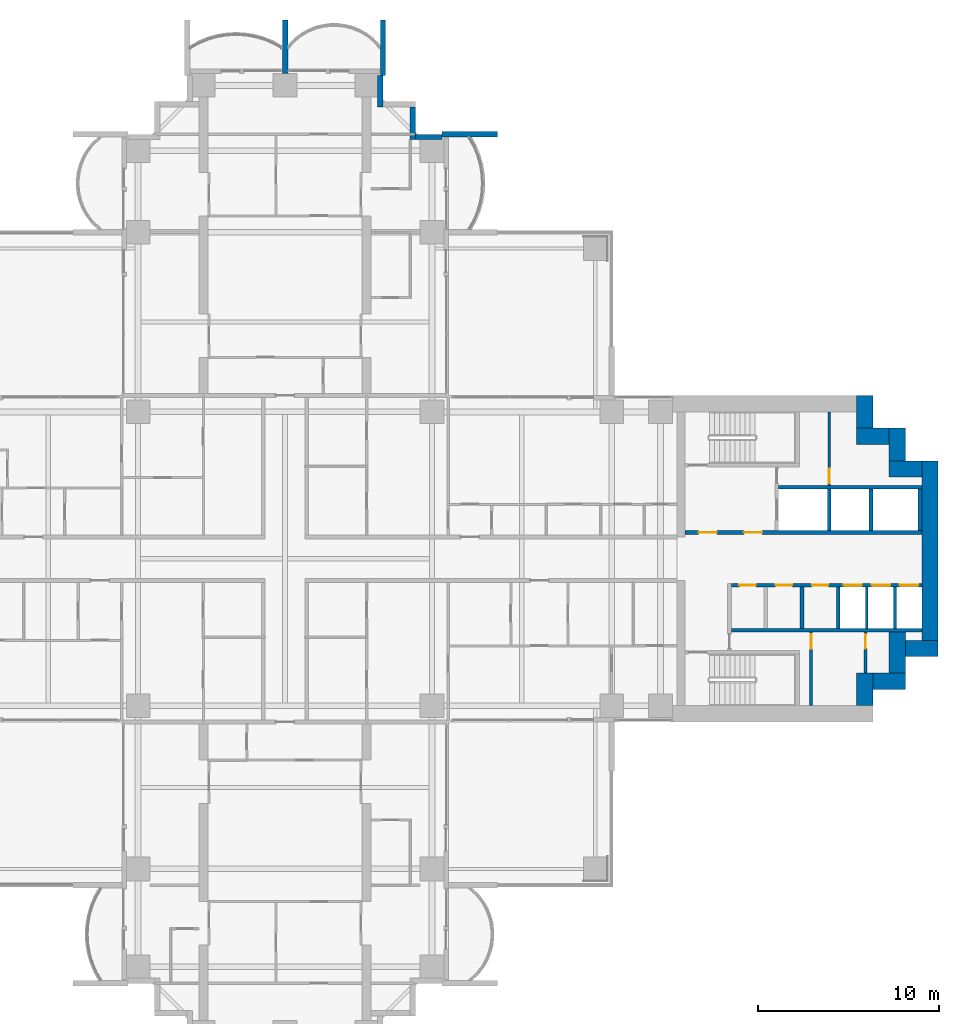
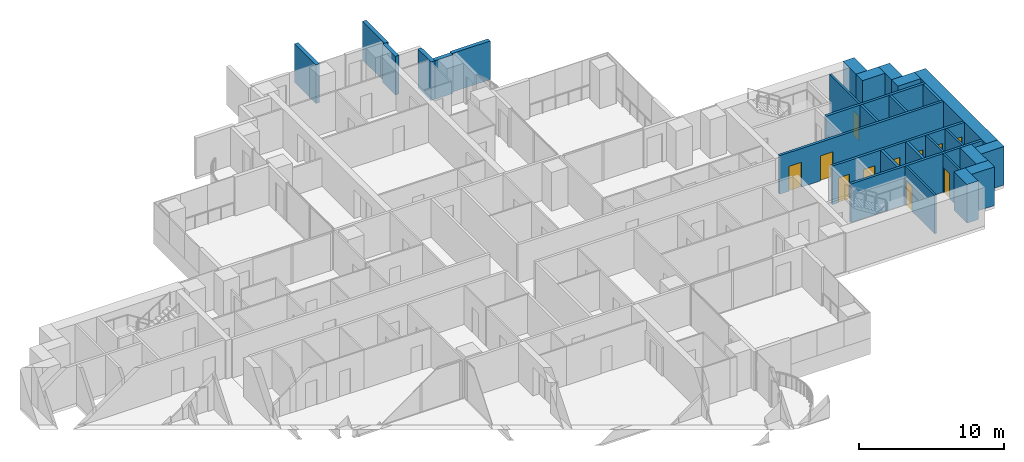
# One storey, part 16 of 21: 29 walls, 11 doors, 11 openings.
"""IFC4 building model written with IfcOpenShell, lengths in metres."""

from ifc_helpers import new_model, si_unit, direction, frame, frame_2d, origin, place, context, subcontext, project, spatial, rectangle, extrude, material, layer, layer_set, type_object, element, fill, save


model = new_model("IFC4")

# Units and contexts
model_context = context("Model", 3, precision=1e-05, world=origin(), true_north=direction((0.0, 1.0)))
body_context = subcontext(model_context, "Body", "Model", "MODEL_VIEW")
ifc_project = project(units=[si_unit("LENGTHUNIT", "METRE"), si_unit("AREAUNIT", "SQUARE_METRE"), si_unit("VOLUMEUNIT", "CUBIC_METRE"), si_unit("PLANEANGLEUNIT", "RADIAN"), si_unit("MASSUNIT", "GRAM", prefix="KILO")], contexts=[model_context])

# Site, building, storey
site_placement = place(None, origin())
site = spatial("IfcSite", under=ifc_project, at=site_placement, CompositionType="ELEMENT")
building_placement = place(site_placement, origin())
building = spatial("IfcBuilding", under=site, at=building_placement, Name="Perihelion Cross Residences", CompositionType="ELEMENT")
storey_placement = place(building_placement, frame((0.0, 0.0, 43.5)))
storey = spatial("IfcBuildingStorey", under=building, at=storey_placement, Name="L07", CompositionType="ELEMENT", Elevation=43.5)

# Walls
ifc_material_1 = material(Name="Concrete C30/37, bronze-clad", Category="concrete")
ifc_layer_1 = layer(ifc_material_1, 0.300048828125)
ifc_layer_set_1 = layer_set([ifc_layer_1], Name="Bronze-clad serration wall 300")
wall_type_1 = type_object("IfcWallType", Name="Bronze-clad serration wall 300", PredefinedType="SOLIDWALL", material=ifc_layer_set_1)
wall_1_placement = place(storey_placement, frame((8.64990234375, 23.25, 0.0), z_axis=(0.0, 0.0, 1.0), x_axis=(-1.0, 0.0, 0.0)))
element("IfcWall", 1, at=wall_1_placement, inside=storey, type_object=wall_type_1, Name="Wall SR1 L07 north corner north-east 1", PredefinedType="SOLIDWALL", context=body_context, shape_type="SweptSolid", body=[
    extrude(rectangle(XDim=1.449951171875, YDim=0.300048828125, at=frame_2d((0.72509765625, 0.0))), origin(), (0.0, 0.0, 1.0), 3.25),
])
wall_2_placement = place(storey_placement, frame((7.050048828125, 23.10009765625, 0.0), z_axis=(0.0, 0.0, 1.0), x_axis=(0.0, 1.0, 0.0)))
element("IfcWall", 2, at=wall_2_placement, inside=storey, type_object=wall_type_1, Name="Wall SR1 L07 north corner north-east 2", PredefinedType="SOLIDWALL", context=body_context, shape_type="SweptSolid", body=[
    extrude(rectangle(XDim=1.7998046875, YDim=0.300048828125, at=frame_2d((0.89990234375, 0.0))), origin(), (0.0, 0.0, 1.0), 3.25),
])
wall_3_placement = place(storey_placement, frame((5.25, 24.89990234375, 0.0), z_axis=(0.0, 0.0, 1.0), x_axis=(0.0, 1.0, 0.0)))
element("IfcWall", 3, at=wall_3_placement, inside=storey, type_object=wall_type_1, Name="Wall SR1 L07 north corner north-east 4", PredefinedType="SOLIDWALL", context=body_context, shape_type="SweptSolid", body=[
    extrude(rectangle(XDim=1.75, YDim=0.300048828125, at=frame_2d((0.875, 0.0))), origin(), (0.0, 0.0, 1.0), 3.25),
])
ifc_material_2 = material(Name="Concrete C60/75", Category="concrete")
ifc_layer_2 = layer(ifc_material_2, 0.89990234375)
ifc_layer_set_2 = layer_set([ifc_layer_2], Name="Core wall, outer 900")
wall_type_2 = type_object("IfcWallType", Name="Core wall, outer 900", PredefinedType="SHEAR", material=ifc_layer_set_2)
for number, where, z_axis, x_axis, name in (
    (4, (31.949951171875, -8.10009765625, 0.0), (0.0, 0.0, 1.0), (0.0, 1.0, 0.0), "East core core wall, outer"),
    (5, (32.39990234375, -6.75, 0.0), (0.0, 0.0, 1.0), (1.0, 0.0, 0.0), "East core core wall, outer"),
):
    element("IfcWall", number, at=place(storey_placement, frame(where, z_axis=z_axis, x_axis=x_axis)), inside=storey, type_object=wall_type_2, Name=name, PredefinedType="SHEAR", context=body_context, shape_type="SweptSolid", body=[
        extrude(rectangle(XDim=1.800048828125, YDim=0.89990234375, at=frame_2d((0.89990234375, 0.0))), origin(), (0.0, 0.0, 1.0), 3.25),
    ])
wall_4_placement = place(storey_placement, frame((33.75, -6.300048828125, 0.0), z_axis=(0.0, 0.0, 1.0), x_axis=(0.0, 1.0, 0.0)))
element("IfcWall", 6, at=wall_4_placement, inside=storey, type_object=wall_type_2, Name="East core core wall, outer", PredefinedType="SHEAR", context=body_context, shape_type="SweptSolid", body=[
    extrude(rectangle(XDim=2.25, YDim=0.89990234375, at=frame_2d((1.125, 0.0))), origin(), (0.0, 0.0, 1.0), 3.25),
])
wall_5_placement = place(storey_placement, frame((34.199951171875, -4.949951171875, 0.0), z_axis=(0.0, 0.0, 1.0), x_axis=(1.0, 0.0, 0.0)))
element("IfcWall", 7, at=wall_5_placement, inside=storey, type_object=wall_type_2, Name="East core core wall, outer", PredefinedType="SHEAR", context=body_context, shape_type="SweptSolid", body=[
    extrude(rectangle(XDim=1.800048828125, YDim=0.89990234375, at=frame_2d((0.89990234375, 0.0))), origin(), (0.0, 0.0, 1.0), 3.25),
])
wall_6_placement = place(storey_placement, frame((35.550048828125, -4.5, 0.0), z_axis=(0.0, 0.0, 1.0), x_axis=(0.0, 1.0, 0.0)))
element("IfcWall", 8, at=wall_6_placement, inside=storey, type_object=wall_type_2, Name="East core core wall, outer", PredefinedType="SHEAR", context=body_context, shape_type="SweptSolid", body=[
    extrude(rectangle(XDim=9.89990234375, YDim=0.89990234375, at=frame_2d((4.949951171875, 0.0))), origin(), (0.0, 0.0, 1.0), 3.25),
])
for number, where, z_axis, x_axis, name in (
    (9, (33.300048828125, 4.949951171875, 0.0), (0.0, 0.0, 1.0), (1.0, 0.0, 0.0), "East core core wall, outer"),
    (10, (33.75, 5.39990234375, 0.0), (0.0, 0.0, 1.0), (0.0, 1.0, 0.0), "East core core wall, outer"),
    (11, (31.5, 6.75, 0.0), (0.0, 0.0, 1.0), (1.0, 0.0, 0.0), "East core core wall, outer"),
    (12, (31.949951171875, 7.199951171875, 0.0), (0.0, 0.0, 1.0), (0.0, 1.0, 0.0), "East core core wall, outer"),
):
    element("IfcWall", number, at=place(storey_placement, frame(where, z_axis=z_axis, x_axis=x_axis)), inside=storey, type_object=wall_type_2, Name=name, PredefinedType="SHEAR", context=body_context, shape_type="SweptSolid", body=[
        extrude(rectangle(XDim=1.800048828125, YDim=0.89990234375, at=frame_2d((0.89990234375, 0.0))), origin(), (0.0, 0.0, 1.0), 3.25),
    ])
ifc_material_3 = material(Name="Precast concrete C50/60", Category="concrete")
ifc_layer_3 = layer(ifc_material_3, 0.300048828125)
ifc_layer_set_3 = layer_set([ifc_layer_3], Name="Precast concrete C50/60 blade wall 300")
wall_type_3 = type_object("IfcWallType", Name="Precast concrete C50/60 blade wall 300", PredefinedType="SOLIDWALL", material=ifc_layer_set_3)
wall_7_placement = place(storey_placement, frame((0.0, 26.75, 0.0), z_axis=(0.0, 0.0, 1.0), x_axis=(0.0, 1.0, 0.0)))
element("IfcWall", 13, at=wall_7_placement, inside=storey, type_object=wall_type_3, Name="Wall BL1 L07 no. 10", PredefinedType="SOLIDWALL", context=body_context, shape_type="SweptSolid", body=[
    extrude(rectangle(XDim=2.949951171875, YDim=0.300048828125, at=frame_2d((1.47509765625, 0.0))), origin(), (0.0, 0.0, 1.0), 3.25),
])
for number, where, z_axis, x_axis, name in (
    (14, (5.39990234375, 26.64990234375, 0.0), (0.0, 0.0, 1.0), (0.0, 1.0, 0.0), "Wall BL1 L07 no. 14"),
    (15, (8.64990234375, 23.39990234375, 0.0), (0.0, 0.0, 1.0), (1.0, 0.0, 0.0), "Wall BL1 L07 no. 18"),
):
    element("IfcWall", number, at=place(storey_placement, frame(where, z_axis=z_axis, x_axis=x_axis)), inside=storey, type_object=wall_type_3, Name=name, PredefinedType="SOLIDWALL", context=body_context, shape_type="SweptSolid", body=[
        extrude(rectangle(XDim=3.050048828125, YDim=0.300048828125, at=frame_2d((1.52490234375, 0.0))), origin(), (0.0, 0.0, 1.0), 3.25),
    ])

# Wall, opening, door
ifc_material_4 = material(Name="Fire-rated board on steel stud", Category="steel")
ifc_layer_4 = layer(ifc_material_4, 0.14990234375)
ifc_layer_set_4 = layer_set([ifc_layer_4], Name="Riser wall 150")
wall_type_4 = type_object("IfcWallType", Name="Riser wall 150", PredefinedType="PARTITIONING", material=ifc_layer_set_4)
wall_8_placement = place(storey_placement, frame((30.0, 4.050048828125, 0.0), z_axis=(0.0, 0.0, 1.0), x_axis=(0.0, 1.0, 0.0)))
wall_8 = element("IfcWall", 16, at=wall_8_placement, inside=storey, type_object=wall_type_4, Name="East core riser wall", PredefinedType="PARTITIONING", context=body_context, shape_type="SweptSolid", body=[
    extrude(rectangle(XDim=4.050048828125, YDim=0.14990234375, at=frame_2d((2.02490234375, 0.0))), origin(), (0.0, 0.0, 1.0), 3.25),
])
opening_1_placement = place(wall_8_placement, frame((0.10009765625, 0.0, 0.0)))
opening_1 = element("IfcOpeningElement", 17, at=opening_1_placement, cuts=wall_8, Name="Opening L07.C15", PredefinedType="OPENING", context=body_context, shape_type="SweptSolid", body=[
    extrude(rectangle(XDim=0.800048828125, YDim=2.10009765625, at=frame_2d((0.39990234375, 1.050048828125))), frame((0.0, 0.0849609375, 0.0), z_axis=(0.0, -1.0, 0.0), x_axis=(1.0, 0.0, 0.0)), (0.0, 0.0, 1.0), 0.169921875),
])
ifc_material_5 = material(Name="Steel, powder coated", Category="steel")
door_type_1 = type_object("IfcDoorType", Name="Riser door 800", OperationType="SINGLE_SWING_LEFT", PredefinedType="DOOR", material=ifc_material_5)
door_1_placement = place(opening_1_placement, origin())
door_1 = element("IfcDoor", 18, at=door_1_placement, inside=storey, type_object=door_type_1, Name="East core riser door", OperationType="SINGLE_SWING_LEFT", OverallHeight=2.10009765625, OverallWidth=0.800048828125, PredefinedType="DOOR", context=body_context, shape_type="SweptSolid", body=[
    extrude(rectangle(XDim=0.800048828125, YDim=2.10009765625, at=frame_2d((0.39990234375, 1.050048828125))), frame((0.0, 0.02490234375, 0.0), z_axis=(0.0, -1.0, 0.0), x_axis=(1.0, 0.0, 0.0)), (0.0, 0.0, 1.0), 0.050048828125),
])
fill(opening_1, door_1)

wall_9_placement = place(storey_placement, frame((29.0, -8.10009765625, 0.0), z_axis=(0.0, 0.0, 1.0), x_axis=(0.0, 1.0, 0.0)))
wall_9 = element("IfcWall", 19, at=wall_9_placement, inside=storey, type_object=wall_type_4, Name="East core riser wall", PredefinedType="PARTITIONING", context=body_context, shape_type="SweptSolid", body=[
    extrude(rectangle(XDim=4.050048828125, YDim=0.14990234375, at=frame_2d((2.02490234375, 0.0))), origin(), (0.0, 0.0, 1.0), 3.25),
])
opening_2_placement = place(wall_9_placement, frame((3.14990234375, 0.0, 0.0)))
opening_2 = element("IfcOpeningElement", 20, at=opening_2_placement, cuts=wall_9, Name="Opening L07.C13", PredefinedType="OPENING", context=body_context, shape_type="SweptSolid", body=[
    extrude(rectangle(XDim=0.800048828125, YDim=2.10009765625, at=frame_2d((0.39990234375, 1.050048828125))), frame((0.0, 0.0849609375, 0.0), z_axis=(0.0, -1.0, 0.0), x_axis=(1.0, 0.0, 0.0)), (0.0, 0.0, 1.0), 0.169921875),
])
door_2_placement = place(opening_2_placement, origin())
door_2 = element("IfcDoor", 21, at=door_2_placement, inside=storey, type_object=door_type_1, Name="East core riser door", OperationType="SINGLE_SWING_LEFT", OverallHeight=2.10009765625, OverallWidth=0.800048828125, PredefinedType="DOOR", context=body_context, shape_type="SweptSolid", body=[
    extrude(rectangle(XDim=0.800048828125, YDim=2.10009765625, at=frame_2d((0.39990234375, 1.050048828125))), frame((0.0, 0.02490234375, 0.0), z_axis=(0.0, -1.0, 0.0), x_axis=(1.0, 0.0, 0.0)), (0.0, 0.0, 1.0), 0.050048828125),
])
fill(opening_2, door_2)

wall_10_placement = place(storey_placement, frame((32.0, -6.300048828125, 0.0), z_axis=(0.0, 0.0, 1.0), x_axis=(0.0, 1.0, 0.0)))
wall_10 = element("IfcWall", 22, at=wall_10_placement, inside=storey, type_object=wall_type_4, Name="East core riser wall", PredefinedType="PARTITIONING", context=body_context, shape_type="SweptSolid", body=[
    extrude(rectangle(XDim=2.25, YDim=0.14990234375, at=frame_2d((1.125, 0.0))), origin(), (0.0, 0.0, 1.0), 3.25),
])
opening_3_placement = place(wall_10_placement, frame((1.35009765625, 0.0, 0.0)))
opening_3 = element("IfcOpeningElement", 23, at=opening_3_placement, cuts=wall_10, Name="Opening L07.C16", PredefinedType="OPENING", context=body_context, shape_type="SweptSolid", body=[
    extrude(rectangle(XDim=0.800048828125, YDim=2.10009765625, at=frame_2d((0.39990234375, 1.050048828125))), frame((0.0, 0.0849609375, 0.0), z_axis=(0.0, -1.0, 0.0), x_axis=(1.0, 0.0, 0.0)), (0.0, 0.0, 1.0), 0.169921875),
])
door_3_placement = place(opening_3_placement, origin())
door_3 = element("IfcDoor", 24, at=door_3_placement, inside=storey, type_object=door_type_1, Name="East core riser door", OperationType="SINGLE_SWING_LEFT", OverallHeight=2.10009765625, OverallWidth=0.800048828125, PredefinedType="DOOR", context=body_context, shape_type="SweptSolid", body=[
    extrude(rectangle(XDim=0.800048828125, YDim=2.10009765625, at=frame_2d((0.39990234375, 1.050048828125))), frame((0.0, 0.02490234375, 0.0), z_axis=(0.0, -1.0, 0.0), x_axis=(1.0, 0.0, 0.0)), (0.0, 0.0, 1.0), 0.050048828125),
])
fill(opening_3, door_3)

# Walls
ifc_material_6 = material(Name="Fire-rated board on steel stud", Category="steel")
ifc_layer_5 = layer(ifc_material_6, 0.199951171875)
ifc_layer_set_5 = layer_set([ifc_layer_5], Name="Riser wall 200")
wall_type_5 = type_object("IfcWallType", Name="Riser wall 200", PredefinedType="PARTITIONING", material=ifc_layer_set_5)
wall_11_placement = place(storey_placement, frame((28.5, -3.85009765625, 0.0), z_axis=(0.0, 0.0, 1.0), x_axis=(0.0, 1.0, 0.0)))
element("IfcWall", 25, at=wall_11_placement, inside=storey, type_object=wall_type_5, Name="East core riser wall", PredefinedType="PARTITIONING", context=body_context, shape_type="SweptSolid", body=[
    extrude(rectangle(XDim=2.300048828125, YDim=0.199951171875, at=frame_2d((1.14990234375, 0.0))), origin(), (0.0, 0.0, 1.0), 3.25),
])
ifc_material_7 = material(Name="Concrete C50/60", Category="concrete")
ifc_layer_6 = layer(ifc_material_7, 0.14990234375)
ifc_layer_set_6 = layer_set([ifc_layer_6], Name="Shaft wall 150")
wall_type_6 = type_object("IfcWallType", Name="Shaft wall 150", PredefinedType="SOLIDWALL", material=ifc_layer_set_6)
for number, where, z_axis, x_axis, name in (
    (26, (32.074951171875, -3.85009765625, 0.0), (0.0, 0.0, 1.0), (0.0, 1.0, 0.0), "East core shaft wall"),
    (27, (33.625, -3.85009765625, 0.0), (0.0, 0.0, 1.0), (0.0, 1.0, 0.0), "East core shaft wall"),
):
    element("IfcWall", number, at=place(storey_placement, frame(where, z_axis=z_axis, x_axis=x_axis)), inside=storey, type_object=wall_type_6, Name=name, PredefinedType="SOLIDWALL", context=body_context, shape_type="SweptSolid", body=[
        extrude(rectangle(XDim=2.300048828125, YDim=0.14990234375, at=frame_2d((1.14990234375, 0.0))), origin(), (0.0, 0.0, 1.0), 3.25),
    ])

# Wall, openings, doors
ifc_material_8 = material(Name="Concrete C50/60", Category="concrete")
ifc_layer_7 = layer(ifc_material_8, 0.199951171875)
ifc_layer_set_7 = layer_set([ifc_layer_7], Name="Shaft wall 200")
wall_type_7 = type_object("IfcWallType", Name="Shaft wall 200", PredefinedType="SOLIDWALL", material=ifc_layer_set_7)
wall_12_placement = place(storey_placement, frame((22.050048828125, 1.449951171875, 0.0), z_axis=(0.0, 0.0, 1.0), x_axis=(1.0, 0.0, 0.0)))
wall_12 = element("IfcWall", 28, at=wall_12_placement, inside=storey, type_object=wall_type_7, Name="East core shaft wall", PredefinedType="SOLIDWALL", context=body_context, shape_type="SweptSolid", body=[
    extrude(rectangle(XDim=13.050048828125, YDim=0.199951171875, at=frame_2d((6.52490234375, 0.0))), origin(), (0.0, 0.0, 1.0), 3.25),
])
opening_4_placement = place(wall_12_placement, frame((0.75, 0.0, 0.0)))
opening_4 = element("IfcOpeningElement", 29, at=opening_4_placement, cuts=wall_12, Name="Opening L07.C07", PredefinedType="OPENING", context=body_context, shape_type="SweptSolid", body=[
    extrude(rectangle(XDim=1.0, YDim=2.10009765625, at=frame_2d((0.5, 1.050048828125))), frame((0.0, 0.10986328125, 0.0), z_axis=(0.0, -1.0, 0.0), x_axis=(1.0, 0.0, 0.0)), (0.0, 0.0, 1.0), 0.219970703125),
])
opening_5_placement = place(wall_12_placement, frame((3.25, 0.0, 0.0)))
opening_5 = element("IfcOpeningElement", 30, at=opening_5_placement, cuts=wall_12, Name="Opening L07.C10", PredefinedType="OPENING", context=body_context, shape_type="SweptSolid", body=[
    extrude(rectangle(XDim=1.0, YDim=2.10009765625, at=frame_2d((0.5, 1.050048828125))), frame((0.0, 0.10986328125, 0.0), z_axis=(0.0, -1.0, 0.0), x_axis=(1.0, 0.0, 0.0)), (0.0, 0.0, 1.0), 0.219970703125),
])
ifc_material_9 = material(Name="Steel, powder coated", Category="steel")
door_type_2 = type_object("IfcDoorType", Name="Lobby door 1000", OperationType="SINGLE_SWING_LEFT", PredefinedType="DOOR", material=ifc_material_9)
door_4_placement = place(opening_4_placement, origin())
door_4 = element("IfcDoor", 31, at=door_4_placement, inside=storey, type_object=door_type_2, Name="East core firefighting lobby door", OperationType="SINGLE_SWING_LEFT", OverallHeight=2.10009765625, OverallWidth=1.0, PredefinedType="DOOR", context=body_context, shape_type="SweptSolid", body=[
    extrude(rectangle(XDim=1.0, YDim=2.10009765625, at=frame_2d((0.5, 1.050048828125))), frame((0.0, 0.02490234375, 0.0), z_axis=(0.0, -1.0, 0.0), x_axis=(1.0, 0.0, 0.0)), (0.0, 0.0, 1.0), 0.050048828125),
])
fill(opening_4, door_4)
door_5_placement = place(opening_5_placement, origin())
door_5 = element("IfcDoor", 32, at=door_5_placement, inside=storey, type_object=door_type_2, Name="East core firefighting lobby door", OperationType="SINGLE_SWING_LEFT", OverallHeight=2.10009765625, OverallWidth=1.0, PredefinedType="DOOR", context=body_context, shape_type="SweptSolid", body=[
    extrude(rectangle(XDim=1.0, YDim=2.10009765625, at=frame_2d((0.5, 1.050048828125))), frame((0.0, 0.02490234375, 0.0), z_axis=(0.0, -1.0, 0.0), x_axis=(1.0, 0.0, 0.0)), (0.0, 0.0, 1.0), 0.050048828125),
])
fill(opening_5, door_5)

wall_13_placement = place(storey_placement, frame((24.60009765625, -1.449951171875, 0.0), z_axis=(0.0, 0.0, 1.0), x_axis=(1.0, 0.0, 0.0)))
wall_13 = element("IfcWall", 33, at=wall_13_placement, inside=storey, type_object=wall_type_7, Name="East core shaft wall", PredefinedType="SOLIDWALL", context=body_context, shape_type="SweptSolid", body=[
    extrude(rectangle(XDim=10.5, YDim=0.199951171875, at=frame_2d((5.25, 0.0))), origin(), (0.0, 0.0, 1.0), 3.25),
])
opening_6_placement = place(wall_13_placement, frame((6.199951171875, 0.0, 0.0)))
opening_6 = element("IfcOpeningElement", 34, at=opening_6_placement, cuts=wall_13, Name="Opening L07.C02", PredefinedType="OPENING", context=body_context, shape_type="SweptSolid", body=[
    extrude(rectangle(XDim=1.0, YDim=2.10009765625, at=frame_2d((0.5, 1.050048828125))), frame((0.0, 0.10986328125, 0.0), z_axis=(0.0, -1.0, 0.0), x_axis=(1.0, 0.0, 0.0)), (0.0, 0.0, 1.0), 0.219970703125),
])
opening_7_placement = place(wall_13_placement, frame((7.75, 0.0, 0.0)))
opening_7 = element("IfcOpeningElement", 35, at=opening_7_placement, cuts=wall_13, Name="Opening L07.C03", PredefinedType="OPENING", context=body_context, shape_type="SweptSolid", body=[
    extrude(rectangle(XDim=1.0, YDim=2.10009765625, at=frame_2d((0.5, 1.050048828125))), frame((0.0, 0.10986328125, 0.0), z_axis=(0.0, -1.0, 0.0), x_axis=(1.0, 0.0, 0.0)), (0.0, 0.0, 1.0), 0.219970703125),
])
opening_8_placement = place(wall_13_placement, frame((9.300048828125, 0.0, 0.0)))
opening_8 = element("IfcOpeningElement", 36, at=opening_8_placement, cuts=wall_13, Name="Opening L07.C04", PredefinedType="OPENING", context=body_context, shape_type="SweptSolid", body=[
    extrude(rectangle(XDim=1.0, YDim=2.10009765625, at=frame_2d((0.5, 1.050048828125))), frame((0.0, 0.10986328125, 0.0), z_axis=(0.0, -1.0, 0.0), x_axis=(1.0, 0.0, 0.0)), (0.0, 0.0, 1.0), 0.219970703125),
])
opening_9_placement = place(wall_13_placement, frame((0.449951171875, 0.0, 0.0)))
opening_9 = element("IfcOpeningElement", 37, at=opening_9_placement, cuts=wall_13, Name="Opening L07.C09", PredefinedType="OPENING", context=body_context, shape_type="SweptSolid", body=[
    extrude(rectangle(XDim=0.89990234375, YDim=2.10009765625, at=frame_2d((0.449951171875, 1.050048828125))), frame((0.0, 0.10986328125, 0.0), z_axis=(0.0, -1.0, 0.0), x_axis=(1.0, 0.0, 0.0)), (0.0, 0.0, 1.0), 0.219970703125),
])
opening_10_placement = place(wall_13_placement, frame((2.449951171875, 0.0, 0.0)))
opening_10 = element("IfcOpeningElement", 38, at=opening_10_placement, cuts=wall_13, Name="Opening L07.C12", PredefinedType="OPENING", context=body_context, shape_type="SweptSolid", body=[
    extrude(rectangle(XDim=0.89990234375, YDim=2.10009765625, at=frame_2d((0.449951171875, 1.050048828125))), frame((0.0, 0.10986328125, 0.0), z_axis=(0.0, -1.0, 0.0), x_axis=(1.0, 0.0, 0.0)), (0.0, 0.0, 1.0), 0.219970703125),
])
opening_11_placement = place(wall_13_placement, frame((4.449951171875, 0.0, 0.0)))
opening_11 = element("IfcOpeningElement", 39, at=opening_11_placement, cuts=wall_13, Name="Opening L07.C14", PredefinedType="OPENING", context=body_context, shape_type="SweptSolid", body=[
    extrude(rectangle(XDim=0.89990234375, YDim=2.10009765625, at=frame_2d((0.449951171875, 1.050048828125))), frame((0.0, 0.10986328125, 0.0), z_axis=(0.0, -1.0, 0.0), x_axis=(1.0, 0.0, 0.0)), (0.0, 0.0, 1.0), 0.219970703125),
])
ifc_material_10 = material(Name="Stainless steel", Category="steel")
door_type_3 = type_object("IfcDoorType", Name="Landing door 1000", OperationType="DOUBLE_DOOR_SLIDING", PredefinedType="DOOR", material=ifc_material_10)
door_6_placement = place(opening_6_placement, origin())
door_6 = element("IfcDoor", 40, at=door_6_placement, inside=storey, type_object=door_type_3, Name="Landing door, East core low-rise lift 1", OperationType="DOUBLE_DOOR_SLIDING", OverallHeight=2.10009765625, OverallWidth=1.0, PredefinedType="DOOR", context=body_context, shape_type="SweptSolid", body=[
    extrude(rectangle(XDim=1.0, YDim=2.10009765625, at=frame_2d((0.5, 1.050048828125))), frame((0.0, 0.02490234375, 0.0), z_axis=(0.0, -1.0, 0.0), x_axis=(1.0, 0.0, 0.0)), (0.0, 0.0, 1.0), 0.050048828125),
])
fill(opening_6, door_6)
door_7_placement = place(opening_7_placement, origin())
door_7 = element("IfcDoor", 41, at=door_7_placement, inside=storey, type_object=door_type_3, Name="Landing door, East core low-rise lift 2", OperationType="DOUBLE_DOOR_SLIDING", OverallHeight=2.10009765625, OverallWidth=1.0, PredefinedType="DOOR", context=body_context, shape_type="SweptSolid", body=[
    extrude(rectangle(XDim=1.0, YDim=2.10009765625, at=frame_2d((0.5, 1.050048828125))), frame((0.0, 0.02490234375, 0.0), z_axis=(0.0, -1.0, 0.0), x_axis=(1.0, 0.0, 0.0)), (0.0, 0.0, 1.0), 0.050048828125),
])
fill(opening_7, door_7)
door_8_placement = place(opening_8_placement, origin())
door_8 = element("IfcDoor", 42, at=door_8_placement, inside=storey, type_object=door_type_3, Name="Landing door, East core low-rise lift 3", OperationType="DOUBLE_DOOR_SLIDING", OverallHeight=2.10009765625, OverallWidth=1.0, PredefinedType="DOOR", context=body_context, shape_type="SweptSolid", body=[
    extrude(rectangle(XDim=1.0, YDim=2.10009765625, at=frame_2d((0.5, 1.050048828125))), frame((0.0, 0.02490234375, 0.0), z_axis=(0.0, -1.0, 0.0), x_axis=(1.0, 0.0, 0.0)), (0.0, 0.0, 1.0), 0.050048828125),
])
fill(opening_8, door_8)
ifc_material_11 = material(Name="Steel, powder coated", Category="steel")
door_type_4 = type_object("IfcDoorType", Name="Service room door 900", OperationType="SINGLE_SWING_LEFT", PredefinedType="DOOR", material=ifc_material_11)
door_9_placement = place(opening_9_placement, origin())
door_9 = element("IfcDoor", 43, at=door_9_placement, inside=storey, type_object=door_type_4, Name="East core service room door", OperationType="SINGLE_SWING_LEFT", OverallHeight=2.10009765625, OverallWidth=0.89990234375, PredefinedType="DOOR", context=body_context, shape_type="SweptSolid", body=[
    extrude(rectangle(XDim=0.89990234375, YDim=2.10009765625, at=frame_2d((0.449951171875, 1.050048828125))), frame((0.0, 0.02490234375, 0.0), z_axis=(0.0, -1.0, 0.0), x_axis=(1.0, 0.0, 0.0)), (0.0, 0.0, 1.0), 0.050048828125),
])
fill(opening_9, door_9)
door_10_placement = place(opening_10_placement, origin())
door_10 = element("IfcDoor", 44, at=door_10_placement, inside=storey, type_object=door_type_4, Name="East core service room door", OperationType="SINGLE_SWING_LEFT", OverallHeight=2.10009765625, OverallWidth=0.89990234375, PredefinedType="DOOR", context=body_context, shape_type="SweptSolid", body=[
    extrude(rectangle(XDim=0.89990234375, YDim=2.10009765625, at=frame_2d((0.449951171875, 1.050048828125))), frame((0.0, 0.02490234375, 0.0), z_axis=(0.0, -1.0, 0.0), x_axis=(1.0, 0.0, 0.0)), (0.0, 0.0, 1.0), 0.050048828125),
])
fill(opening_10, door_10)
door_11_placement = place(opening_11_placement, origin())
door_11 = element("IfcDoor", 45, at=door_11_placement, inside=storey, type_object=door_type_4, Name="East core service room door", OperationType="SINGLE_SWING_LEFT", OverallHeight=2.10009765625, OverallWidth=0.89990234375, PredefinedType="DOOR", context=body_context, shape_type="SweptSolid", body=[
    extrude(rectangle(XDim=0.89990234375, YDim=2.10009765625, at=frame_2d((0.449951171875, 1.050048828125))), frame((0.0, 0.02490234375, 0.0), z_axis=(0.0, -1.0, 0.0), x_axis=(1.0, 0.0, 0.0)), (0.0, 0.0, 1.0), 0.050048828125),
])
fill(opening_11, door_11)

# Walls
wall_14_placement = place(storey_placement, frame((27.199951171875, 3.949951171875, 0.0), z_axis=(0.0, 0.0, 1.0), x_axis=(1.0, 0.0, 0.0)))
element("IfcWall", 46, at=wall_14_placement, inside=storey, type_object=wall_type_7, Name="East core shaft wall", PredefinedType="SOLIDWALL", context=body_context, shape_type="SweptSolid", body=[
    extrude(rectangle(XDim=7.900146484375, YDim=0.199951171875, at=frame_2d((3.9501953125, 0.0))), origin(), (0.0, 0.0, 1.0), 3.25),
])
wall_15_placement = place(storey_placement, frame((24.60009765625, -3.949951171875, 0.0), z_axis=(0.0, 0.0, 1.0), x_axis=(1.0, 0.0, 0.0)))
element("IfcWall", 47, at=wall_15_placement, inside=storey, type_object=wall_type_7, Name="East core shaft wall", PredefinedType="SOLIDWALL", context=body_context, shape_type="SweptSolid", body=[
    extrude(rectangle(XDim=10.5, YDim=0.199951171875, at=frame_2d((5.25, 0.0))), origin(), (0.0, 0.0, 1.0), 3.25),
])
for number, where, z_axis, x_axis, name in (
    (48, (30.0, 1.550048828125, 0.0), (0.0, 0.0, 1.0), (0.0, 1.0, 0.0), "East core shaft wall"),
    (49, (32.300048828125, 1.550048828125, 0.0), (0.0, 0.0, 1.0), (0.0, 1.0, 0.0), "East core shaft wall"),
    (50, (35.0, 1.550048828125, 0.0), (0.0, 0.0, 1.0), (0.0, 1.0, 0.0), "East core shaft wall"),
    (51, (30.5, -3.85009765625, 0.0), (0.0, 0.0, 1.0), (0.0, 1.0, 0.0), "East core shaft wall"),
):
    element("IfcWall", number, at=place(storey_placement, frame(where, z_axis=z_axis, x_axis=x_axis)), inside=storey, type_object=wall_type_7, Name=name, PredefinedType="SOLIDWALL", context=body_context, shape_type="SweptSolid", body=[
        extrude(rectangle(XDim=2.300048828125, YDim=0.199951171875, at=frame_2d((1.14990234375, 0.0))), origin(), (0.0, 0.0, 1.0), 3.25),
    ])

save(model, "model.ifc")
